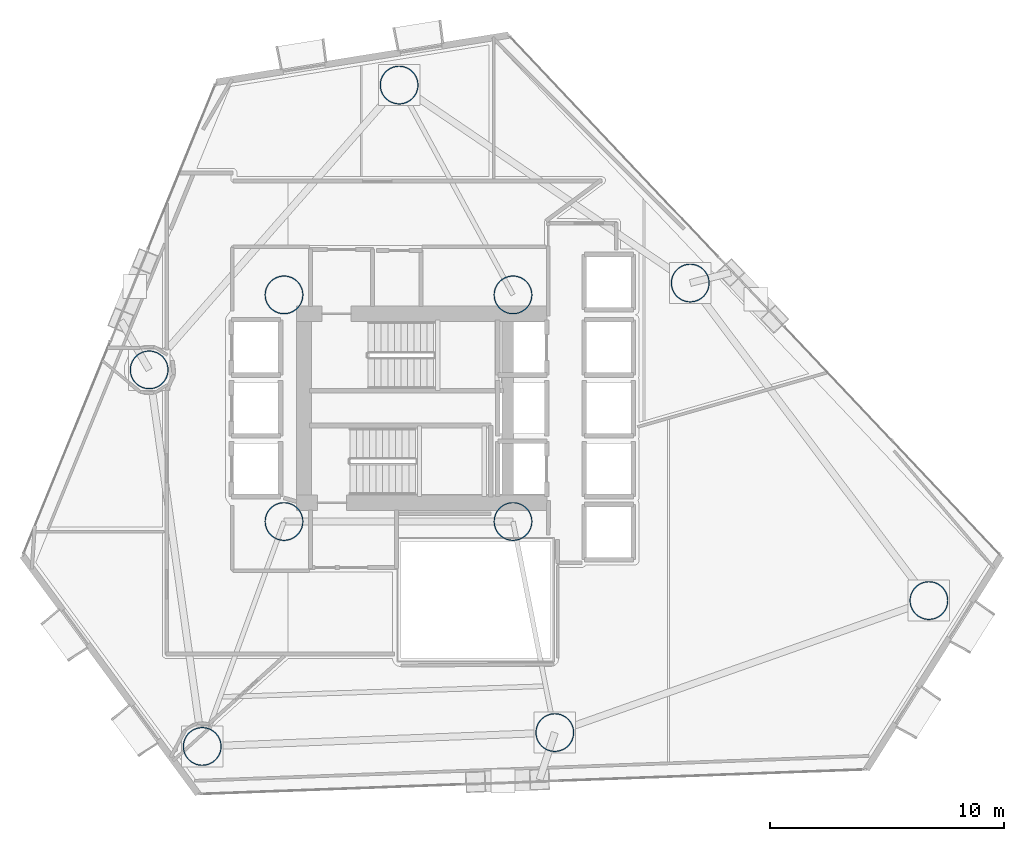
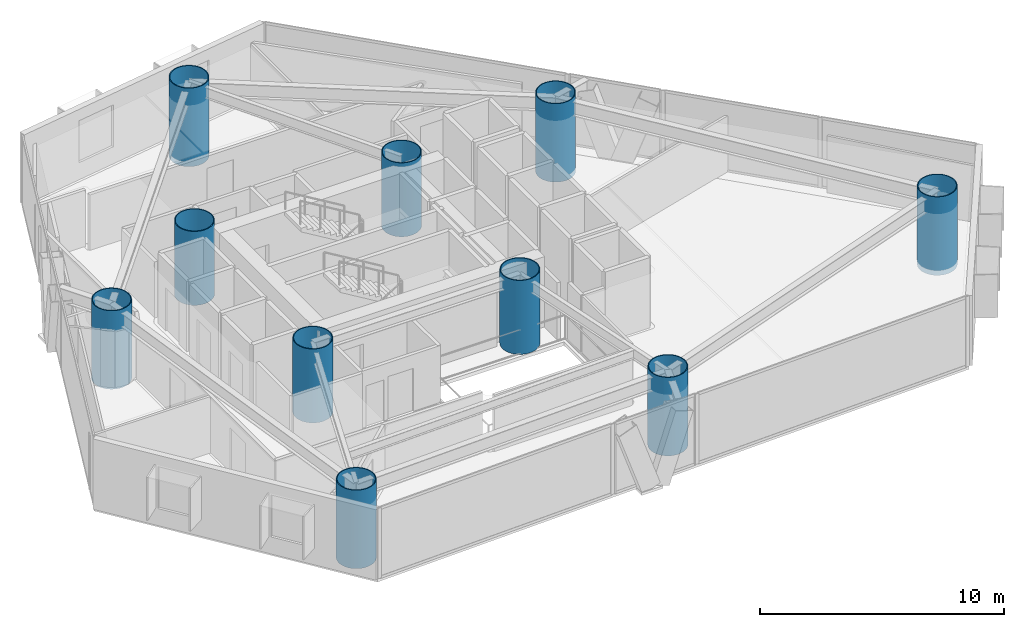
# One storey, part 1 of 23: 10 columns.
"""IFC4 building model written with IfcOpenShell, lengths in metres."""

from ifc_helpers import new_model, si_unit, direction, frame, origin, origin_2d, place, context, subcontext, project, spatial, hollow_circle, extrude, material, material_profile, profile_set, type_object, element, save


model = new_model("IFC4")

# Units and contexts
model_context = context("Model", 3, precision=1e-05, world=origin(), true_north=direction((0.0, 1.0)))
body_context = subcontext(model_context, "Body", "Model", "MODEL_VIEW")
ifc_project = project(units=[si_unit("LENGTHUNIT", "METRE"), si_unit("AREAUNIT", "SQUARE_METRE"), si_unit("VOLUMEUNIT", "CUBIC_METRE"), si_unit("PLANEANGLEUNIT", "RADIAN"), si_unit("MASSUNIT", "GRAM", prefix="KILO")], contexts=[model_context])

# Site, building, storey
site_placement = place(None, origin())
site = spatial("IfcSite", under=ifc_project, at=site_placement, CompositionType="ELEMENT")
building_placement = place(site_placement, origin())
building = spatial("IfcBuilding", under=site, at=building_placement, Name="Qianvela Tower", CompositionType="ELEMENT")
storey_placement = place(building_placement, frame((0.0, 0.0, 52.5)))
storey = spatial("IfcBuildingStorey", under=building, at=storey_placement, Name="L12", CompositionType="ELEMENT", Elevation=52.5)

# Columns
ifc_material = material(Name="Steel Q420GJC", Category="steel")
ifc_material_profile = material_profile(ifc_material, hollow_circle(Radius=0.824951171875, WallThickness=0.0400390625, at=origin_2d()), Name="CFT-1650x40")
ifc_profile_set = profile_set([ifc_material_profile], Name="Steel Q420GJC")
column_type = type_object("IfcColumnType", Name="COL-CFT-1650x40", PredefinedType="COLUMN", material=ifc_profile_set)
for number, where, z_axis, x_axis, name in (
    (1, (28.60009765625, 33.550048828125, 0.0), (0.0, 0.0, 1.0), (1.0, 0.0, 0.0), "L12 Core Corner Mega-Column CC-NW"),
    (2, (28.60009765625, 23.85009765625, 0.0), (0.0, 0.0, 1.0), (1.0, 0.0, 0.0), "L12 Core Corner Mega-Column CC-SW"),
    (3, (38.39990234375, 33.550048828125, 0.0), (0.0, 0.0, 1.0), (1.0, 0.0, 0.0), "L12 Core Corner Mega-Column CC-NE"),
    (4, (38.39990234375, 23.85009765625, 0.0), (0.0, 0.0, 1.0), (1.0, 0.0, 0.0), "L12 Core Corner Mega-Column CC-SE"),
):
    element("IfcColumn", number, at=place(storey_placement, frame(where, z_axis=z_axis, x_axis=x_axis)), inside=storey, type_object=column_type, Name=name, PredefinedType="COLUMN", context=body_context, shape_type="SweptSolid", body=[
        extrude(hollow_circle(Radius=0.824951171875, WallThickness=0.0400390625, at=origin_2d()), origin(), (0.0, 0.0, 1.0), 3.699951171875),
    ])
for number, where, z_axis, x_axis, name in (
    (5, (56.198974609375, 20.468017578125, -0.22998046875), (0.0, 0.0, 1.0), (1.0, 0.0, 0.0), "L12 Zone Z2 CFT Mega-Column C1"),
    (6, (45.98388671875, 34.056884765625, -0.22998046875), (0.0, 0.0, 1.0), (1.0, 0.0, 0.0), "L12 Zone Z2 CFT Mega-Column C2"),
    (7, (33.52587890625, 42.529052734375, -0.22998046875), (0.0, 0.0, 1.0), (1.0, 0.0, 0.0), "L12 Zone Z2 CFT Mega-Column C3"),
    (8, (22.8291015625, 30.340087890625, -0.22998046875), (0.0, 0.0, 1.0), (1.0, 0.0, 0.0), "L12 Zone Z2 CFT Mega-Column C4"),
    (9, (25.10009765625, 14.22509765625, -0.22998046875), (0.0, 0.0, 1.0), (1.0, 0.0, 0.0), "L12 Zone Z2 CFT Mega-Column C5"),
    (10, (40.18896484375, 14.819091796875, -0.22998046875), (0.0, 0.0, 1.0), (1.0, 0.0, 0.0), "L12 Zone Z2 CFT Mega-Column C6"),
):
    element("IfcColumn", number, at=place(storey_placement, frame(where, z_axis=z_axis, x_axis=x_axis)), inside=storey, type_object=column_type, Name=name, PredefinedType="COLUMN", context=body_context, shape_type="SweptSolid", body=[
        extrude(hollow_circle(Radius=0.824951171875, WallThickness=0.0400390625, at=origin_2d()), origin(), (0.0, 0.0, 1.0), 3.929931640625),
    ])

save(model, "model.ifc")
